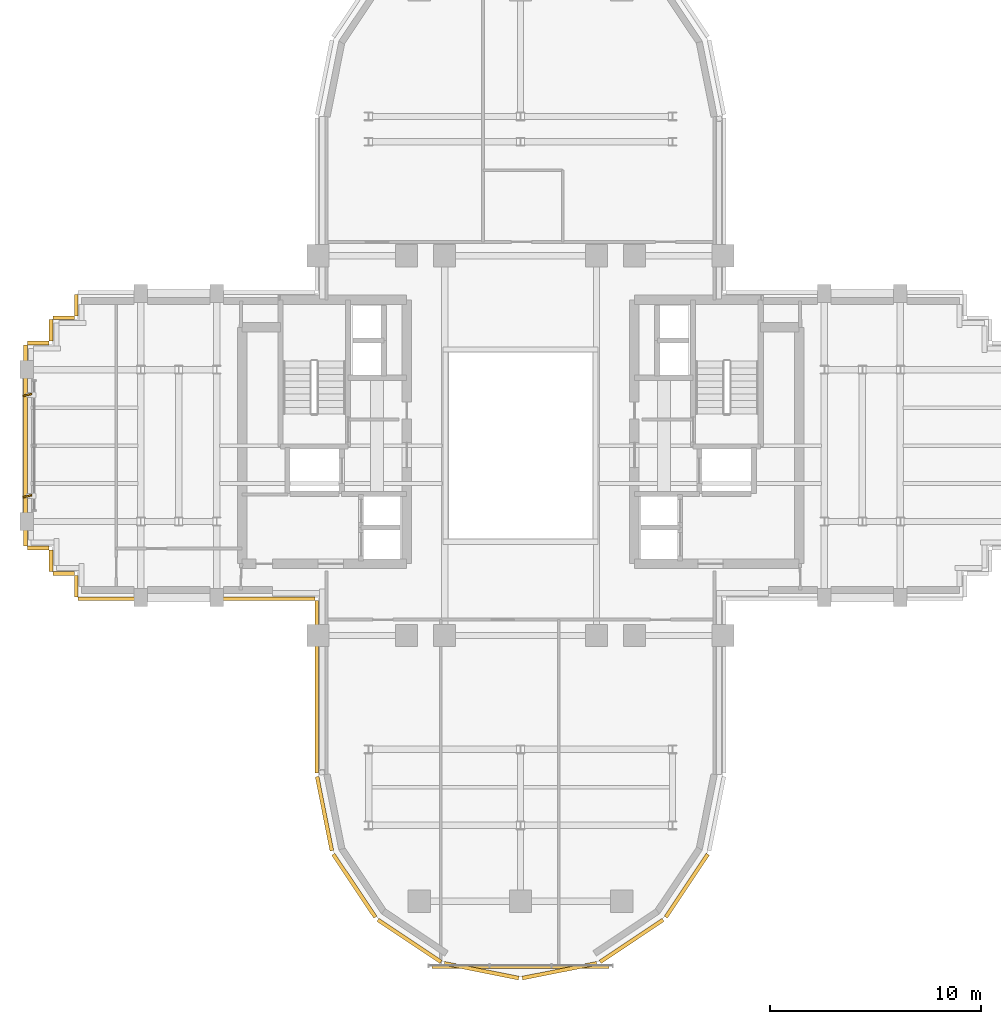
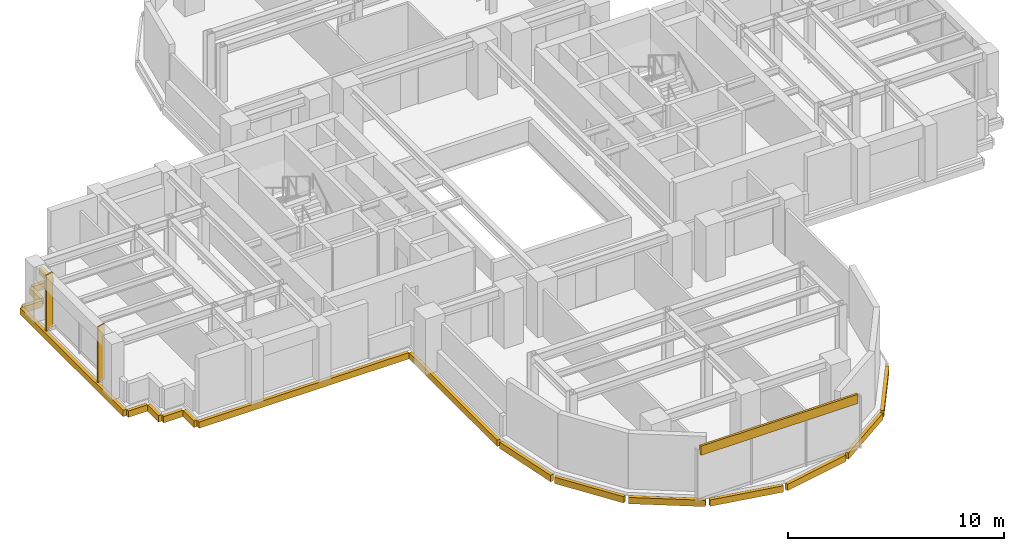
# One storey, part 11 of 13: 19 coverings, 2 shading devices.
"""IFC4 building model written with IfcOpenShell, lengths in metres."""

from ifc_helpers import new_model, si_unit, direction, frame, origin, origin_2d, place, context, subcontext, project, spatial, rectangle, extrude, source, transform, mapped, material, layer, layer_set, type_object, element, save


model = new_model("IFC4")

# Units and contexts
model_context = context("Model", 3, precision=1e-05, world=origin(), true_north=direction((0.0, 1.0)))
body_context = subcontext(model_context, "Body", "Model", "MODEL_VIEW")
ifc_project = project(units=[si_unit("LENGTHUNIT", "METRE"), si_unit("AREAUNIT", "SQUARE_METRE"), si_unit("VOLUMEUNIT", "CUBIC_METRE"), si_unit("PLANEANGLEUNIT", "RADIAN"), si_unit("MASSUNIT", "GRAM", prefix="KILO")], contexts=[model_context])

# Site, building, storey
site_placement = place(None, origin())
site = spatial("IfcSite", under=ifc_project, at=site_placement, CompositionType="ELEMENT")
building_placement = place(site_placement, origin())
building = spatial("IfcBuilding", under=site, at=building_placement, Name="Keilestroom Media Tower", CompositionType="ELEMENT")
storey_placement = place(building_placement, frame((0.0, 0.0, 148.199951171875)))
storey = spatial("IfcBuildingStorey", under=building, at=storey_placement, Name="L40", CompositionType="ELEMENT", Elevation=148.199951171875)

# Covering
ifc_material_1 = material(Name="Precast concrete C40/50", Category="concrete")
ifc_layer = layer(ifc_material_1, 0.1201171875)
ifc_layer_set = layer_set([ifc_layer], Name="Precast concrete C40/50")
covering_type = type_object("IfcCoveringType", Name="Exterior-Precast-Spandrel-Cladding-Panel-120", PredefinedType="CLADDING", material=ifc_layer_set)
shared_shape_1 = source(origin(), body_context, "Body", "SweptSolid", [
    extrude(rectangle(XDim=8.39990234375, YDim=0.1201171875, at=origin_2d()), origin(), (0.0, 0.0, 1.0), 0.52001953125),
])
covering_1_placement = place(storey_placement, frame((0.0, -24.719970703125, 2.630126953125), z_axis=(0.0, 0.0, 1.0), x_axis=(1.0, 0.0, 0.0)))
element("IfcCovering", 1, at=covering_1_placement, inside=storey, type_object=covering_type, Name="L40 Precast Spandrel Cladding S", PredefinedType="CLADDING", context=body_context, shape_type="MappedRepresentation", body=[
    mapped(shared_shape_1, transform((0.0, 0.0, 0.0), x_axis=(1.0, 0.0, 0.0), y_axis=(0.0, 1.0, 0.0), z_axis=(0.0, 0.0, 1.0), scale=1.0)),
])

# Shading devices
ifc_material_2 = material(Name="Bronze Anodised Aluminium", Category="aluminium")
shading_device_type = type_object("IfcShadingDeviceType", Name="Facade-Vertical-Sunshade-Fin-SHD-1", PredefinedType="USERDEFINED", material=ifc_material_2)
shared_shape_2 = source(origin(), body_context, "Body", "SweptSolid", [
    extrude(rectangle(XDim=0.419921875, YDim=0.080078125, at=origin_2d()), origin(), (0.0, 0.0, 1.0), 3.139892578125),
])
for number, where, z_axis, x_axis, name in (
    (2, (-23.3701171875, -2.39990234375, 0.0), (0.0, 0.0, 1.0), (0.970295726276, 0.2419218956, 0.0), "L40 Twisting Sunshade Fin SHD-1 053"),
    (3, (-23.3701171875, 2.39990234375, 0.0), (0.0, 0.0, 1.0), (0.970295726276, 0.2419218956, 0.0), "L40 Twisting Sunshade Fin SHD-1 054"),
):
    element("IfcShadingDevice", number, at=place(storey_placement, frame(where, z_axis=z_axis, x_axis=x_axis)), inside=storey, type_object=shading_device_type, Name=name, ObjectType="SUNSHADE", PredefinedType="USERDEFINED", context=body_context, shape_type="MappedRepresentation", body=[
        mapped(shared_shape_2, transform((0.0, 0.0, 0.0), x_axis=(1.0, 0.0, 0.0), y_axis=(0.0, 1.0, 0.0), z_axis=(0.0, 0.0, 1.0), scale=1.0)),
    ])

# Coverings
shared_shape_3 = source(origin(), body_context, "Body", "SweptSolid", [
    extrude(rectangle(XDim=1.02001953125, YDim=0.179931640625, at=origin_2d()), origin(), (0.0, 0.0, 1.0), 0.360107421875),
])
for number, where, z_axis, x_axis, name in (
    (4, (-21.06005859375, -6.659912109375, -0.5400390625), (0.0, 0.0, 1.0), (0.0, 1.0, 0.0), "L40 Precast Slab-Edge Fascia Cornice 17"),
    (5, (-21.659912109375, -6.06005859375, -0.5400390625), (0.0, 0.0, 1.0), (-1.0, 0.0, 0.0), "L40 Precast Slab-Edge Fascia Cornice 18"),
    (6, (-22.260009765625, -5.4599609375, -0.5400390625), (0.0, 0.0, 1.0), (0.0, 1.0, 0.0), "L40 Precast Slab-Edge Fascia Cornice 19"),
    (7, (-22.860107421875, -4.860107421875, -0.5400390625), (0.0, 0.0, 1.0), (-1.0, 0.0, 0.0), "L40 Precast Slab-Edge Fascia Cornice 20"),
    (8, (-22.860107421875, 4.860107421875, -0.5400390625), (0.0, 0.0, 1.0), (1.0, 0.0, 0.0), "L40 Precast Slab-Edge Fascia Cornice 22"),
    (9, (-22.260009765625, 5.4599609375, -0.5400390625), (0.0, 0.0, 1.0), (0.0, 1.0, 0.0), "L40 Precast Slab-Edge Fascia Cornice 23"),
    (10, (-21.659912109375, 6.06005859375, -0.5400390625), (0.0, 0.0, 1.0), (1.0, 0.0, 0.0), "L40 Precast Slab-Edge Fascia Cornice 24"),
    (11, (-21.06005859375, 6.659912109375, -0.5400390625), (0.0, 0.0, 1.0), (0.0, 1.0, 0.0), "L40 Precast Slab-Edge Fascia Cornice 25"),
):
    element("IfcCovering", number, at=place(storey_placement, frame(where, z_axis=z_axis, x_axis=x_axis)), inside=storey, type_object=covering_type, Name=name, PredefinedType="CLADDING", context=body_context, shape_type="MappedRepresentation", body=[
        mapped(shared_shape_3, transform((0.0, 0.0, 0.0), x_axis=(1.0, 0.0, 0.0), y_axis=(0.0, 1.0, 0.0), z_axis=(0.0, 0.0, 1.0), scale=1.0)),
    ])
shared_shape_4 = source(origin(), body_context, "Body", "SweptSolid", [
    extrude(rectangle(XDim=8.166015625, YDim=0.179931640625, at=origin_2d()), origin(), (0.0, 0.0, 1.0), 0.360107421875),
])
covering_2_placement = place(storey_placement, frame((-9.659912109375, -11.43310546875, -0.5400390625), z_axis=(0.0, 0.0, 1.0), x_axis=(0.0, 1.0, 0.0)))
element("IfcCovering", 12, at=covering_2_placement, inside=storey, type_object=covering_type, Name="L40 Precast Slab-Edge Fascia Cornice 15", PredefinedType="CLADDING", context=body_context, shape_type="MappedRepresentation", body=[
    mapped(shared_shape_4, transform((0.0, 0.0, 0.0), x_axis=(1.0, 0.0, 0.0), y_axis=(0.0, 1.0, 0.0), z_axis=(0.0, 0.0, 1.0), scale=1.0)),
])
shared_shape_5 = source(origin(), body_context, "Body", "SweptSolid", [
    extrude(rectangle(XDim=3.58349609375, YDim=0.179931640625, at=origin_2d()), origin(), (0.0, 0.0, 1.0), 0.360107421875),
])
covering_3_placement = place(storey_placement, frame((-9.29296875, -17.45166015625, -0.5400390625), z_axis=(0.0, 0.0, 1.0), x_axis=(-0.195098880975, 0.980783577882, 0.0)))
element("IfcCovering", 13, at=covering_3_placement, inside=storey, type_object=covering_type, Name="L40 Precast Slab-Edge Fascia Cornice 14", PredefinedType="CLADDING", context=body_context, shape_type="MappedRepresentation", body=[
    mapped(shared_shape_5, transform((0.0, 0.0, 0.0), x_axis=(1.0, 0.0, 0.0), y_axis=(0.0, 1.0, 0.0), z_axis=(0.0, 0.0, 1.0), scale=1.0)),
])
shared_shape_6 = source(origin(), body_context, "Body", "SweptSolid", [
    extrude(rectangle(XDim=3.589599609375, YDim=0.179931640625, at=origin_2d()), origin(), (0.0, 0.0, 1.0), 0.360107421875),
])
for number, where, z_axis, x_axis, name in (
    (14, (7.878662109375, -20.8642578125, -0.5400390625), (0.0, 0.0, 1.0), (-0.555574586577, -0.831466703332, 0.0), "L40 Precast Slab-Edge Fascia Cornice 08"),
    (15, (5.264404296875, -23.478515625, -0.5400390625), (0.0, 0.0, 1.0), (-0.831466703332, -0.555574586577, 0.0), "L40 Precast Slab-Edge Fascia Cornice 09"),
    (16, (1.8486328125, -24.893310546875, -0.5400390625), (0.0, 0.0, 1.0), (-0.980783577882, -0.195098880975, 0.0), "L40 Precast Slab-Edge Fascia Cornice 10"),
    (17, (-1.8486328125, -24.893310546875, -0.5400390625), (0.0, 0.0, 1.0), (-0.980783577882, 0.195098880975, 0.0), "L40 Precast Slab-Edge Fascia Cornice 11"),
    (18, (-5.264404296875, -23.478515625, -0.5400390625), (0.0, 0.0, 1.0), (-0.831466703332, 0.555574586577, 0.0), "L40 Precast Slab-Edge Fascia Cornice 12"),
    (19, (-7.878662109375, -20.8642578125, -0.5400390625), (0.0, 0.0, 1.0), (-0.555574586577, 0.831466703332, 0.0), "L40 Precast Slab-Edge Fascia Cornice 13"),
):
    element("IfcCovering", number, at=place(storey_placement, frame(where, z_axis=z_axis, x_axis=x_axis)), inside=storey, type_object=covering_type, Name=name, PredefinedType="CLADDING", context=body_context, shape_type="MappedRepresentation", body=[
        mapped(shared_shape_6, transform((0.0, 0.0, 0.0), x_axis=(1.0, 0.0, 0.0), y_axis=(0.0, 1.0, 0.0), z_axis=(0.0, 0.0, 1.0), scale=1.0)),
    ])
shared_shape_7 = source(origin(), body_context, "Body", "SweptSolid", [
    extrude(rectangle(XDim=9.5400390625, YDim=0.179931640625, at=origin_2d()), origin(), (0.0, 0.0, 1.0), 0.360107421875),
])
covering_4_placement = place(storey_placement, frame((-23.4599609375, 0.0, -0.5400390625), z_axis=(0.0, 0.0, 1.0), x_axis=(0.0, 1.0, 0.0)))
element("IfcCovering", 20, at=covering_4_placement, inside=storey, type_object=covering_type, Name="L40 Precast Slab-Edge Fascia Cornice 21", PredefinedType="CLADDING", context=body_context, shape_type="MappedRepresentation", body=[
    mapped(shared_shape_7, transform((0.0, 0.0, 0.0), x_axis=(1.0, 0.0, 0.0), y_axis=(0.0, 1.0, 0.0), z_axis=(0.0, 0.0, 1.0), scale=1.0)),
])
shared_shape_8 = source(origin(), body_context, "Body", "SweptSolid", [
    extrude(rectangle(XDim=11.219970703125, YDim=0.179931640625, at=origin_2d()), origin(), (0.0, 0.0, 1.0), 0.360107421875),
])
covering_5_placement = place(storey_placement, frame((-15.360107421875, -7.260009765625, -0.5400390625), z_axis=(0.0, 0.0, 1.0), x_axis=(-1.0, 0.0, 0.0)))
element("IfcCovering", 21, at=covering_5_placement, inside=storey, type_object=covering_type, Name="L40 Precast Slab-Edge Fascia Cornice 16", PredefinedType="CLADDING", context=body_context, shape_type="MappedRepresentation", body=[
    mapped(shared_shape_8, transform((0.0, 0.0, 0.0), x_axis=(1.0, 0.0, 0.0), y_axis=(0.0, 1.0, 0.0), z_axis=(0.0, 0.0, 1.0), scale=1.0)),
])

save(model, "model.ifc")
